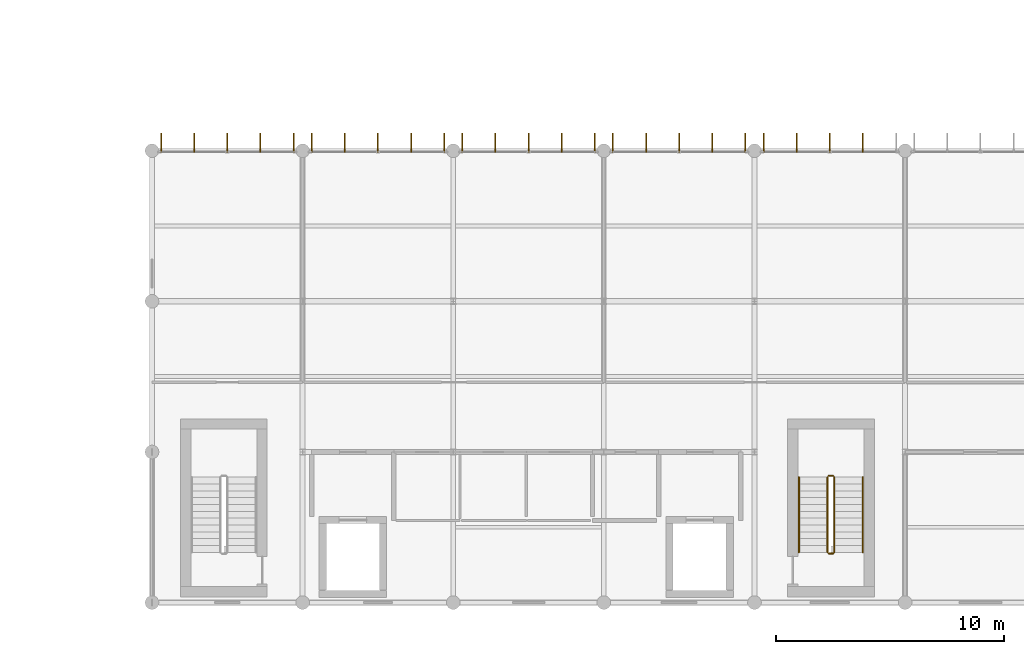
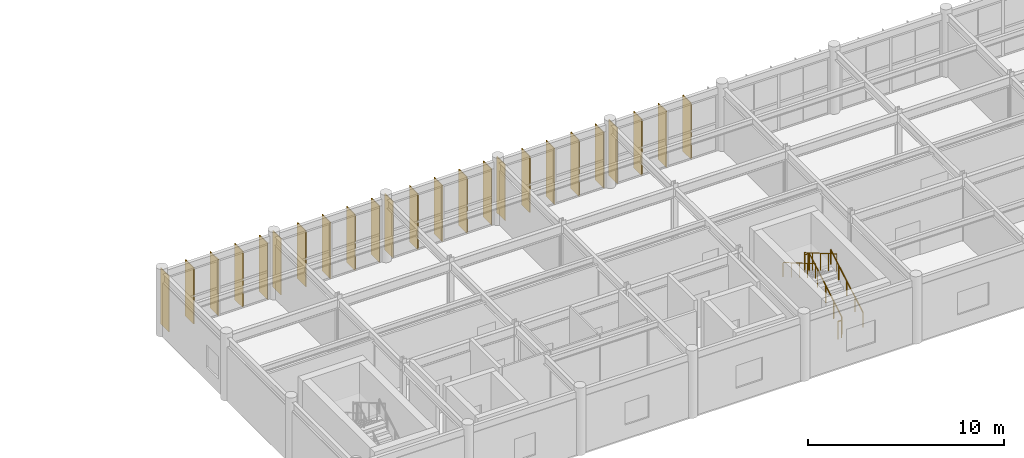
# One storey, part 62 of 66: 24 shading devices, 6 railings.
"""IFC4 building model written with IfcOpenShell, lengths in metres."""

import ifcopenshell
import ifcopenshell.guid

model = None  # the IFC model being written
_history = None  # IfcOwnerHistory: only IFC2X3 demands one
_inside = {}  # id of a spatial element -> (the spatial element, [elements in it])
_under = {}  # id of a project, library or spatial element -> (it, [spatial elements below it])
_declared = {}  # id of a project -> (the project, [libraries it declares])
_typed = {}  # id of a type object -> (the type object, [elements of that type])
_made_of = {}  # id of a material, layer set ... -> (it, [elements and type objects made of it])


def new_model(schema):
    """Start an empty IFC model of exactly this schema.

    Asked for "IFC4X3", IfcOpenShell would pick the latest addendum, in which some entities
    have other attributes; the version numbers below select the first issue.
    IFC2X3 requires an IfcOwnerHistory on every rooted entity: one is made here for all.
    """
    global model, _history
    if schema == "IFC4X3":
        model = ifcopenshell.file(schema_version=(4, 3, 0, 0))
    else:
        model = ifcopenshell.file(schema=schema)
    _inside.clear()
    _under.clear()
    _declared.clear()
    _typed.clear()
    _made_of.clear()
    _history = None
    if model.schema == "IFC2X3":
        org = make("IfcOrganization", Name="unknown")
        user = make(
            "IfcPersonAndOrganization",
            ThePerson=make("IfcPerson", FamilyName="unknown"),
            TheOrganization=org,
        )
        app = make(
            "IfcApplication",
            ApplicationDeveloper=org,
            Version="unknown",
            ApplicationFullName="unknown",
            ApplicationIdentifier="unknown",
        )
        _history = make(
            "IfcOwnerHistory",
            OwningUser=user,
            OwningApplication=app,
            ChangeAction="ADDED",
            CreationDate=0,
        )
    return model


def make(cls, **values):
    """One entity of the class cls with the attributes given. An attribute that is None is left unset."""
    return model.create_entity(
        cls, **{name: value for name, value in values.items() if value is not None}
    )


def rooted(cls, **values):
    """An entity with a GlobalId (a new one), such as an element, a storey or a relation."""
    return make(cls, GlobalId=ifcopenshell.guid.new(), OwnerHistory=_history, **values)


def si_unit(unit_type, name, prefix=None):
    """IfcSIUnit, for example si_unit("LENGTHUNIT", "METRE", prefix="MILLI")."""
    return make("IfcSIUnit", UnitType=unit_type, Prefix=prefix, Name=name)


def assignment(units):
    """IfcUnitAssignment: the units of a project."""
    return None if units is None else make("IfcUnitAssignment", Units=units)


def point(xyz):
    """IfcCartesianPoint."""
    return None if xyz is None else make("IfcCartesianPoint", Coordinates=xyz)


def direction(xyz):
    """IfcDirection."""
    return None if xyz is None else make("IfcDirection", DirectionRatios=xyz)


def frame(location, z_axis=None, x_axis=None):
    """IfcAxis2Placement3D, a coordinate frame: its origin and axes. An axis left out is left unset."""
    return make(
        "IfcAxis2Placement3D",
        Location=point(location),
        Axis=direction(z_axis),
        RefDirection=direction(x_axis),
    )


def frame_2d(location, x_axis=None):
    """IfcAxis2Placement2D, a coordinate frame in the plane: its origin and x axis."""
    return make(
        "IfcAxis2Placement2D", Location=point(location), RefDirection=direction(x_axis)
    )


def origin():
    """The frame at (0, 0, 0) with its axes left unset."""
    return frame((0.0, 0.0, 0.0))


def origin_2d():
    """The frame at (0, 0) in the plane with its x axis left unset."""
    return frame_2d((0.0, 0.0))


def place(relative_to, where):
    """IfcLocalPlacement: puts the frame where relative to a parent placement (None: the world)."""
    return make(
        "IfcLocalPlacement", PlacementRelTo=relative_to, RelativePlacement=where
    )


def context(
    kind, dimensions, precision=None, world=None, true_north=None, identifier=None
):
    """IfcGeometricRepresentationContext, for example the 3D "Model" context."""
    return make(
        "IfcGeometricRepresentationContext",
        ContextIdentifier=identifier,
        ContextType=kind,
        CoordinateSpaceDimension=dimensions,
        Precision=precision,
        WorldCoordinateSystem=world,
        TrueNorth=true_north,
    )


def subcontext(parent, identifier, kind, view, scale=None):
    """IfcGeometricRepresentationSubContext, for example "Body" below "Model"."""
    return make(
        "IfcGeometricRepresentationSubContext",
        ContextIdentifier=identifier,
        ContextType=kind,
        ParentContext=parent,
        TargetScale=scale,
        TargetView=view,
    )


def project(units=None, contexts=None):
    """IfcProject with its units and contexts."""
    return rooted(
        "IfcProject",
        Name="project",
        RepresentationContexts=contexts,
        UnitsInContext=assignment(units),
    )


def spatial(cls, under=None, at=None, **own):
    """A site, building, storey or space (cls), placed at a placement, below another one or the project."""
    s = rooted(cls, ObjectPlacement=at, **own)
    if under is not None:
        _under.setdefault(under.id(), (under, []))[1].append(s)
    return s


def profile(cls, at=None, kind="AREA", **sizes):
    """A parametric profile (cls). Its sizes go by their IFC names, for example OverallWidth=200.0."""
    return make(cls, ProfileType=kind, Position=at, **sizes)


def rectangle(**sizes):
    """IfcRectangleProfileDef."""
    return profile("IfcRectangleProfileDef", **sizes)


def circle(**sizes):
    """IfcCircleProfileDef."""
    return profile("IfcCircleProfileDef", **sizes)


def extrude(swept, where, along, depth):
    """IfcExtrudedAreaSolid: the profile swept, set in the frame where, extruded along a direction by depth."""
    return make(
        "IfcExtrudedAreaSolid",
        SweptArea=swept,
        Position=where,
        ExtrudedDirection=direction(along),
        Depth=depth,
    )


def shape(context_of_items, identifier, shape_type, items):
    """IfcShapeRepresentation: the items that make up one representation, for example the "Body"."""
    return make(
        "IfcShapeRepresentation",
        ContextOfItems=context_of_items,
        RepresentationIdentifier=identifier,
        RepresentationType=shape_type,
        Items=items,
    )


def material(Name=None, Category=None):
    """IfcMaterial."""
    return make("IfcMaterial", Name=Name, Category=Category)


def layer(
    of_material, thickness, ventilated=None, Name=None, Category=None, Priority=None
):
    """IfcMaterialLayer: one layer of a wall or slab, of a material (None: an air gap)."""
    return make(
        "IfcMaterialLayer",
        Material=of_material,
        LayerThickness=thickness,
        IsVentilated=ventilated,
        Name=Name,
        Category=Category,
        Priority=Priority,
    )


def layer_set(layers, Name=None):
    """IfcMaterialLayerSet."""
    return make("IfcMaterialLayerSet", MaterialLayers=layers, LayerSetName=Name)


def made_of(thing, what):
    """Note that an element or type object is made of a material, layer set ...; save() writes the relation."""
    if what is not None:
        _made_of.setdefault(what.id(), (what, []))[1].append(thing)
    return thing


def type_object(cls, material=None, **own):
    """A type object (cls), such as IfcWallType, which elements share."""
    return made_of(rooted(cls, **own), material)


def element(
    cls,
    number,
    at=None,
    inside=None,
    cuts=None,
    type_object=None,
    material=None,
    context=None,
    identifier="Body",
    shape_type=None,
    held_by="IfcProductDefinitionShape",
    body=None,
    shapes=None,
    **own,
):
    """One element of the class cls, such as IfcWall. Its Tag is "e" and its number.

    at: its placement. inside: the storey or other place that contains it. cuts: it is an
    opening in that element (IfcRelVoidsElement). A single representation is given by context,
    identifier, shape_type and body (its items); several are given by shapes. held_by: the class
    of the entity that holds the representations. save() writes the other relations.
    """
    e = rooted(cls, Tag="e%d" % number, ObjectPlacement=at, **own)
    if body is not None:
        shapes = [shape(context, identifier, shape_type, body)]
    if shapes is not None:
        e.Representation = make(held_by, Representations=shapes)
    if inside is not None:
        _inside.setdefault(inside.id(), (inside, []))[1].append(e)
    if cuts is not None:
        rooted(
            "IfcRelVoidsElement", RelatingBuildingElement=cuts, RelatedOpeningElement=e
        )
    if type_object is not None:
        _typed.setdefault(type_object.id(), (type_object, []))[1].append(e)
    return made_of(e, material)


def aggregate(whole, parts):
    """IfcRelAggregates: a whole, such as a stair, and the parts it consists of."""
    return rooted("IfcRelAggregates", RelatingObject=whole, RelatedObjects=parts)


def save(model, path):
    """Write the relations noted so far, then the file.

    IfcRelAggregates (storeys below a building ...), IfcRelContainedInSpatialStructure (elements
    in a storey), IfcRelDefinesByType, IfcRelAssociatesMaterial and IfcRelDeclares: one each for
    every whole, place, type object, material and project.
    """
    for whole, parts in _under.values():
        aggregate(whole, parts)
    for where, things in _inside.values():
        rooted(
            "IfcRelContainedInSpatialStructure",
            RelatedElements=things,
            RelatingStructure=where,
        )
    for kind, things in _typed.values():
        rooted("IfcRelDefinesByType", RelatedObjects=things, RelatingType=kind)
    for what, things in _made_of.values():
        rooted("IfcRelAssociatesMaterial", RelatedObjects=things, RelatingMaterial=what)
    for by, libraries in _declared.values():
        rooted("IfcRelDeclares", RelatingContext=by, RelatedDefinitions=libraries)
    model.write(path)


model = new_model("IFC4")

# Units and contexts
model_context = context("Model", 3, precision=1e-05, world=origin(), true_north=direction((0.0, 1.0)))
body_context = subcontext(model_context, "Body", "Model", "MODEL_VIEW")
ifc_project = project(units=[si_unit("LENGTHUNIT", "METRE"), si_unit("AREAUNIT", "SQUARE_METRE"), si_unit("VOLUMEUNIT", "CUBIC_METRE"), si_unit("PLANEANGLEUNIT", "RADIAN"), si_unit("MASSUNIT", "GRAM", prefix="KILO")], contexts=[model_context])

# Site, building, storey
site_placement = place(None, origin())
site = spatial("IfcSite", under=ifc_project, at=site_placement, CompositionType="ELEMENT")
building_placement = place(site_placement, origin())
building = spatial("IfcBuilding", under=site, at=building_placement, Name="Karori Crest Natural Sciences Institute", CompositionType="ELEMENT")
storey_placement = place(building_placement, frame((0.0, 0.0, 30.10009765625)))
storey = spatial("IfcBuildingStorey", under=building, at=storey_placement, Name="L07", CompositionType="ELEMENT", Elevation=30.10009765625)

# Railings
ifc_material_1 = material(Name="Stainless steel 316 tubular handrail", Category="steel")
railing_type_1 = type_object("IfcRailingType", Name="RLT-HND", PredefinedType="HANDRAIL", material=ifc_material_1)
railing_1_placement = place(storey_placement, frame((134.75, 3.0, 0.1748046875)))
element("IfcRailing", 1, at=railing_1_placement, inside=storey, type_object=railing_type_1, Name="Stair handrail RL-0212", PredefinedType="HANDRAIL", context=body_context, shape_type="SweptSolid", body=[
    extrude(circle(Radius=0.02392578125, at=origin_2d()), frame((0.0, 0.0, 0.90087890625), z_axis=(0.0, 0.863776583165, 0.503874998761), x_axis=(-1.0, 0.0, 0.0)), (0.0, 0.0, 1.0), 3.820556640625),
    extrude(circle(Radius=0.02099609375, at=origin_2d()), origin(), (0.0, 0.0, 1.0), 0.876953125),
    extrude(circle(Radius=0.02099609375, at=origin_2d()), frame((0.0, 0.824951171875, 0.481201171875)), (0.0, 0.0, 1.0), 0.876953125),
    extrude(circle(Radius=0.02099609375, at=origin_2d()), frame((0.0, 1.64990234375, 0.96240234375)), (0.0, 0.0, 1.0), 0.876953125),
    extrude(circle(Radius=0.02099609375, at=origin_2d()), frame((0.0, 2.47509765625, 1.44384765625)), (0.0, 0.0, 1.0), 0.876953125),
    extrude(circle(Radius=0.02099609375, at=origin_2d()), frame((0.0, 3.300048828125, 1.925048828125)), (0.0, 0.0, 1.0), 0.876953125),
])
railing_2_placement = place(storey_placement, frame((131.949951171875, 6.300048828125, 2.27490234375)))
element("IfcRailing", 2, at=railing_2_placement, inside=storey, type_object=railing_type_1, Name="Stair handrail RL-0213", PredefinedType="HANDRAIL", context=body_context, shape_type="SweptSolid", body=[
    extrude(circle(Radius=0.02392578125, at=origin_2d()), frame((0.0, 0.0, 0.90087890625), z_axis=(0.0, -0.863776583165, 0.503874998761), x_axis=(1.0, 0.0, 0.0)), (0.0, 0.0, 1.0), 3.820556640625),
    extrude(circle(Radius=0.02099609375, at=origin_2d()), origin(), (0.0, 0.0, 1.0), 0.876953125),
    extrude(circle(Radius=0.02099609375, at=origin_2d()), frame((0.0, -0.824951171875, 0.481201171875)), (0.0, 0.0, 1.0), 0.876953125),
    extrude(circle(Radius=0.02099609375, at=origin_2d()), frame((0.0, -1.64990234375, 0.96240234375)), (0.0, 0.0, 1.0), 0.876953125),
    extrude(circle(Radius=0.02099609375, at=origin_2d()), frame((0.0, -2.47509765625, 1.44384765625)), (0.0, 0.0, 1.0), 0.876953125),
    extrude(circle(Radius=0.02099609375, at=origin_2d()), frame((0.0, -3.300048828125, 1.925048828125)), (0.0, 0.0, 1.0), 0.876953125),
])
ifc_material_2 = material(Name="Stainless steel 316 stair guard", Category="steel")
railing_type_2 = type_object("IfcRailingType", Name="RLT-STG", PredefinedType="GUARDRAIL", material=ifc_material_2)
railing_3_placement = place(storey_placement, frame((133.5, 3.0, 0.1748046875)))
element("IfcRailing", 3, at=railing_3_placement, inside=storey, type_object=railing_type_2, Name="Stair guard RL-0208", PredefinedType="GUARDRAIL", context=body_context, shape_type="SweptSolid", body=[
    extrude(circle(Radius=0.02392578125, at=origin_2d()), frame((0.0, 0.0, 1.076171875), z_axis=(0.0, 0.863776583165, 0.503874998761), x_axis=(-1.0, 0.0, 0.0)), (0.0, 0.0, 1.0), 3.820556640625),
    extrude(circle(Radius=0.02099609375, at=origin_2d()), origin(), (0.0, 0.0, 1.0), 1.052001953125),
    extrude(circle(Radius=0.02099609375, at=origin_2d()), frame((0.0, 0.824951171875, 0.481201171875)), (0.0, 0.0, 1.0), 1.052001953125),
    extrude(circle(Radius=0.02099609375, at=origin_2d()), frame((0.0, 1.64990234375, 0.96240234375)), (0.0, 0.0, 1.0), 1.052001953125),
    extrude(circle(Radius=0.02099609375, at=origin_2d()), frame((0.0, 2.47509765625, 1.44384765625)), (0.0, 0.0, 1.0), 1.052001953125),
    extrude(circle(Radius=0.02099609375, at=origin_2d()), frame((0.0, 3.300048828125, 1.925048828125)), (0.0, 0.0, 1.0), 1.052001953125),
])
railing_4_placement = place(storey_placement, frame((133.449951171875, 6.35009765625, 2.099853515625)))
element("IfcRailing", 4, at=railing_4_placement, inside=storey, type_object=railing_type_2, Name="Stair guard RL-0209", PredefinedType="GUARDRAIL", context=body_context, shape_type="SweptSolid", body=[
    extrude(circle(Radius=0.02392578125, at=origin_2d()), frame((0.0, 0.0, 1.076171875), z_axis=(-1.0, 0.0, 0.0), x_axis=(0.0, -1.0, 0.0)), (0.0, 0.0, 1.0), 0.199951171875),
    extrude(circle(Radius=0.02099609375, at=origin_2d()), origin(), (0.0, 0.0, 1.0), 1.052001953125),
    extrude(circle(Radius=0.02099609375, at=origin_2d()), frame((-0.199951171875, 0.0, 0.0)), (0.0, 0.0, 1.0), 1.052001953125),
])
railing_5_placement = place(storey_placement, frame((133.199951171875, 6.300048828125, 2.27490234375)))
element("IfcRailing", 5, at=railing_5_placement, inside=storey, type_object=railing_type_2, Name="Stair guard RL-0210", PredefinedType="GUARDRAIL", context=body_context, shape_type="SweptSolid", body=[
    extrude(circle(Radius=0.02392578125, at=origin_2d()), frame((0.0, 0.0, 1.076171875), z_axis=(0.0, -0.863776583165, 0.503874998761), x_axis=(1.0, 0.0, 0.0)), (0.0, 0.0, 1.0), 3.820556640625),
    extrude(circle(Radius=0.02099609375, at=origin_2d()), origin(), (0.0, 0.0, 1.0), 1.052001953125),
    extrude(circle(Radius=0.02099609375, at=origin_2d()), frame((0.0, -0.824951171875, 0.481201171875)), (0.0, 0.0, 1.0), 1.052001953125),
    extrude(circle(Radius=0.02099609375, at=origin_2d()), frame((0.0, -1.64990234375, 0.96240234375)), (0.0, 0.0, 1.0), 1.052001953125),
    extrude(circle(Radius=0.02099609375, at=origin_2d()), frame((0.0, -2.47509765625, 1.44384765625)), (0.0, 0.0, 1.0), 1.052001953125),
    extrude(circle(Radius=0.02099609375, at=origin_2d()), frame((0.0, -3.300048828125, 1.925048828125)), (0.0, 0.0, 1.0), 1.052001953125),
])
railing_6_placement = place(storey_placement, frame((133.449951171875, 2.949951171875, 0.0)))
element("IfcRailing", 6, at=railing_6_placement, inside=storey, type_object=railing_type_2, Name="Stair guard RL-0211", PredefinedType="GUARDRAIL", context=body_context, shape_type="SweptSolid", body=[
    extrude(circle(Radius=0.02392578125, at=origin_2d()), frame((0.0, 0.0, 1.076171875), z_axis=(-1.0, 0.0, 0.0), x_axis=(0.0, -1.0, 0.0)), (0.0, 0.0, 1.0), 0.199951171875),
    extrude(circle(Radius=0.02099609375, at=origin_2d()), origin(), (0.0, 0.0, 1.0), 1.052001953125),
    extrude(circle(Radius=0.02099609375, at=origin_2d()), frame((-0.199951171875, 0.0, 0.0)), (0.0, 0.0, 1.0), 1.052001953125),
])

# Shading devices
ifc_material_3 = material(Name="Anodised architectural aluminium 6063-T6", Category="aluminium")
ifc_layer = layer(ifc_material_3, 0.044921875, Name="Anodised architectural aluminium 6063-T6")
ifc_layer_set = layer_set([ifc_layer], Name="Anodised architectural aluminium 6063-T6")
shading_device_type = type_object("IfcShadingDeviceType", Name="SDT-FIN", PredefinedType="USERDEFINED", material=ifc_layer_set)
for number, where, z_axis, x_axis, name in (
    (7, (103.998046875, 20.949951171875, 0.0), (0.0, 0.0, 1.0), (0.0, 1.0, 0.0), "Vertical solar fin FN-1498"),
    (8, (105.448974609375, 20.949951171875, 0.0), (0.0, 0.0, 1.0), (0.0, 1.0, 0.0), "Vertical solar fin FN-1499"),
    (9, (106.89990234375, 20.949951171875, 0.0), (0.0, 0.0, 1.0), (0.0, 1.0, 0.0), "Vertical solar fin FN-1500"),
    (10, (108.35107421875, 20.949951171875, 0.0), (0.0, 0.0, 1.0), (0.0, 1.0, 0.0), "Vertical solar fin FN-1501"),
    (11, (109.802001953125, 20.949951171875, 0.0), (0.0, 0.0, 1.0), (0.0, 1.0, 0.0), "Vertical solar fin FN-1502"),
    (12, (110.597900390625, 20.949951171875, 0.0), (0.0, 0.0, 1.0), (0.0, 1.0, 0.0), "Vertical solar fin FN-1503"),
    (13, (112.049072265625, 20.949951171875, 0.0), (0.0, 0.0, 1.0), (0.0, 1.0, 0.0), "Vertical solar fin FN-1504"),
    (14, (113.5, 20.949951171875, 0.0), (0.0, 0.0, 1.0), (0.0, 1.0, 0.0), "Vertical solar fin FN-1505"),
    (15, (114.950927734375, 20.949951171875, 0.0), (0.0, 0.0, 1.0), (0.0, 1.0, 0.0), "Vertical solar fin FN-1506"),
    (16, (116.402099609375, 20.949951171875, 0.0), (0.0, 0.0, 1.0), (0.0, 1.0, 0.0), "Vertical solar fin FN-1507"),
    (17, (117.197998046875, 20.949951171875, 0.0), (0.0, 0.0, 1.0), (0.0, 1.0, 0.0), "Vertical solar fin FN-1508"),
    (18, (118.64892578125, 20.949951171875, 0.0), (0.0, 0.0, 1.0), (0.0, 1.0, 0.0), "Vertical solar fin FN-1509"),
    (19, (120.10009765625, 20.949951171875, 0.0), (0.0, 0.0, 1.0), (0.0, 1.0, 0.0), "Vertical solar fin FN-1510"),
    (20, (121.551025390625, 20.949951171875, 0.0), (0.0, 0.0, 1.0), (0.0, 1.0, 0.0), "Vertical solar fin FN-1511"),
    (21, (123.001953125, 20.949951171875, 0.0), (0.0, 0.0, 1.0), (0.0, 1.0, 0.0), "Vertical solar fin FN-1512"),
    (22, (123.798095703125, 20.949951171875, 0.0), (0.0, 0.0, 1.0), (0.0, 1.0, 0.0), "Vertical solar fin FN-1513"),
    (23, (125.2490234375, 20.949951171875, 0.0), (0.0, 0.0, 1.0), (0.0, 1.0, 0.0), "Vertical solar fin FN-1514"),
    (24, (126.699951171875, 20.949951171875, 0.0), (0.0, 0.0, 1.0), (0.0, 1.0, 0.0), "Vertical solar fin FN-1515"),
    (25, (128.15087890625, 20.949951171875, 0.0), (0.0, 0.0, 1.0), (0.0, 1.0, 0.0), "Vertical solar fin FN-1516"),
    (26, (129.60205078125, 20.949951171875, 0.0), (0.0, 0.0, 1.0), (0.0, 1.0, 0.0), "Vertical solar fin FN-1517"),
    (27, (130.39794921875, 20.949951171875, 0.0), (0.0, 0.0, 1.0), (0.0, 1.0, 0.0), "Vertical solar fin FN-1518"),
    (28, (131.84912109375, 20.949951171875, 0.0), (0.0, 0.0, 1.0), (0.0, 1.0, 0.0), "Vertical solar fin FN-1519"),
    (29, (133.300048828125, 20.949951171875, 0.0), (0.0, 0.0, 1.0), (0.0, 1.0, 0.0), "Vertical solar fin FN-1520"),
    (30, (134.7509765625, 20.949951171875, 0.0), (0.0, 0.0, 1.0), (0.0, 1.0, 0.0), "Vertical solar fin FN-1521"),
):
    element("IfcShadingDevice", number, at=place(storey_placement, frame(where, z_axis=z_axis, x_axis=x_axis)), inside=storey, type_object=shading_device_type, Name=name, ObjectType="SOLAR_FIN", PredefinedType="USERDEFINED", context=body_context, shape_type="SweptSolid", body=[
        extrude(rectangle(XDim=0.85009765625, YDim=0.044921875, at=origin_2d()), origin(), (0.0, 0.0, 1.0), 3.5048828125),
    ])

save(model, "model.ifc")
